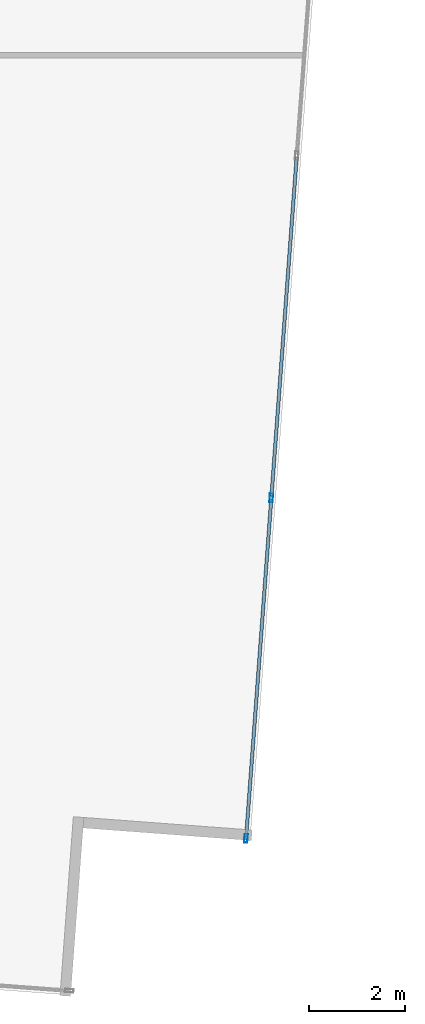
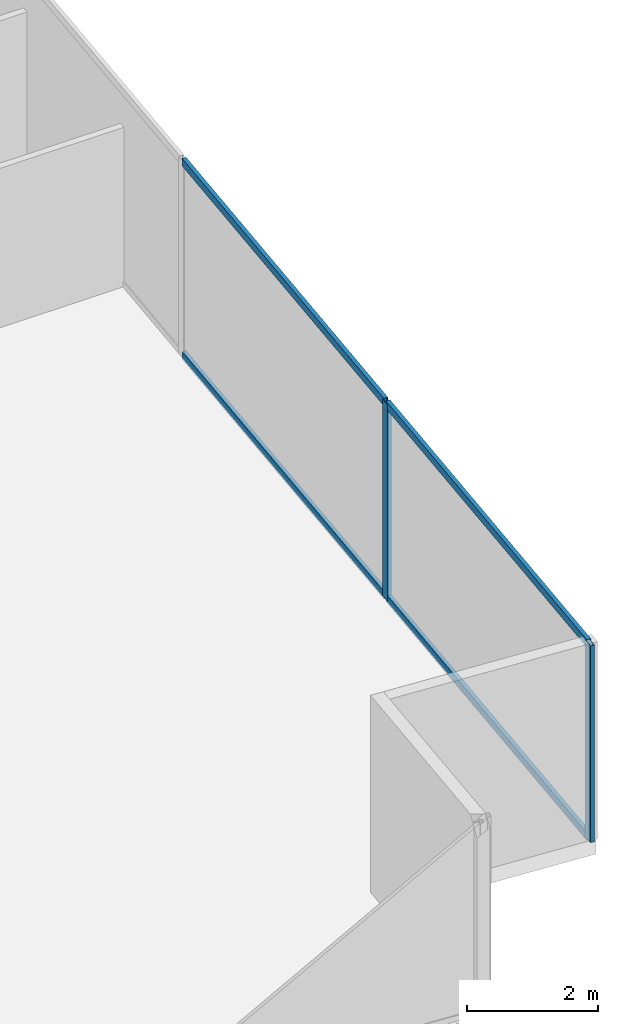
# One storey, part 14 of 30: 6 members, 1 element without a shape of its own.
"""IFC4 building model written with IfcOpenShell, lengths in metres."""

from ifc_helpers import new_model, si_unit, direction, frame, origin, origin_2d, place, context, subcontext, project, spatial, hollow_rectangle, extrude, source, transform, mapped, material, material_profile, profile_set, type_object, type_shapes, element, aggregate, save


model = new_model("IFC4")

# Units and contexts
model_context = context("Model", 3, precision=1e-05, world=origin(), true_north=direction((0.0, 1.0)))
body_context = subcontext(model_context, "Body", "Model", "MODEL_VIEW")
ifc_project = project(units=[si_unit("LENGTHUNIT", "METRE"), si_unit("AREAUNIT", "SQUARE_METRE"), si_unit("VOLUMEUNIT", "CUBIC_METRE"), si_unit("PLANEANGLEUNIT", "RADIAN"), si_unit("MASSUNIT", "GRAM", prefix="KILO")], contexts=[model_context])

# Site, building, storey
site_placement = place(None, origin())
site = spatial("IfcSite", under=ifc_project, at=site_placement, CompositionType="ELEMENT")
building_placement = place(site_placement, origin())
building = spatial("IfcBuilding", under=site, at=building_placement, Name="Krantzveldt Concourse Tower", CompositionType="ELEMENT")
storey_placement = place(building_placement, frame((0.0, 0.0, 48.699951171875)))
storey = spatial("IfcBuildingStorey", under=building, at=storey_placement, Name="L11", CompositionType="ELEMENT", Elevation=48.699951171875)

# Curtain wall, members
ifc_material = material(Name="Anodised aluminium 6063-T6", Category="aluminium")
curtain_wall_type = type_object("IfcCurtainWallType", Name="CW2", PredefinedType="USERDEFINED", material=ifc_material)
curtain_wall_placement = place(storey_placement, origin())
curtain_wall = element("IfcCurtainWall", 1, at=curtain_wall_placement, inside=storey, type_object=curtain_wall_type, Name="CW-L11-F07", ObjectType="UNITISED CURTAIN WALL", PredefinedType="USERDEFINED")
ifc_material_profile_1 = material_profile(ifc_material, hollow_rectangle(XDim=0.070068359375, YDim=0.139892578125, WallThickness=0.0048828125, at=origin_2d()), Name="Anodised aluminium 6063-T6", Category="aluminium")
ifc_profile_set_1 = profile_set([ifc_material_profile_1], Name="Anodised aluminium 6063-T6 - ALU-TRAN 140x70x5")
member_type_1 = type_object("IfcMemberType", Name="CW-TRN-150", PredefinedType="USERDEFINED", material=ifc_profile_set_1)
shared_shape_1 = source(origin(), body_context, "Body", "SweptSolid", [
    extrude(hollow_rectangle(XDim=0.070068359375, YDim=0.139892578125, WallThickness=0.0048828125, at=origin_2d()), origin(), (0.0, 0.0, 1.0), 7.0615234375),
])
member_1_placement = place(storey_placement, frame((59.25341796875, 3.48291015625, 0.03515625), z_axis=(0.074089449766, 0.997251599865, 0.0), x_axis=(-0.997251599865, 0.074089449766, 0.0)))
member_1 = element("IfcMember", 2, at=member_1_placement, type_object=member_type_1, Name="CW-Z12 transom 1.1", ObjectType="TRANSOM", PredefinedType="USERDEFINED", context=body_context, shape_type="MappedRepresentation", body=[
    mapped(shared_shape_1, transform((0.0, 0.0, 0.0), x_axis=(1.0, 0.0, 0.0), y_axis=(0.0, 1.0, 0.0), z_axis=(0.0, 0.0, 1.0), scale=1.0)),
])
member_2_placement = place(storey_placement, frame((59.25341796875, 3.48291015625, 3.635009765625), z_axis=(0.074089449766, 0.997251599865, 0.0), x_axis=(-0.997251599865, 0.074089449766, 0.0)))
member_2 = element("IfcMember", 3, at=member_2_placement, type_object=member_type_1, Name="CW-Z12 transom 1.2", ObjectType="TRANSOM", PredefinedType="USERDEFINED", context=body_context, shape_type="MappedRepresentation", body=[
    mapped(shared_shape_1, transform((0.0, 0.0, 0.0), x_axis=(1.0, 0.0, 0.0), y_axis=(0.0, 1.0, 0.0), z_axis=(0.0, 0.0, 1.0), scale=1.0)),
])
shared_shape_2 = source(origin(), body_context, "Body", "SweptSolid", [
    extrude(hollow_rectangle(XDim=0.070068359375, YDim=0.139892578125, WallThickness=0.0048828125, at=origin_2d()), origin(), (0.0, 0.0, 1.0), 7.0966796875),
])
type_shapes(member_type_1, [shared_shape_1, shared_shape_2])
member_3_placement = place(storey_placement, frame((59.781982421875, 10.594970703125, 0.03515625), z_axis=(0.074102314311, 0.997250644028, 0.0), x_axis=(-0.997250644028, 0.074102314311, 0.0)))
member_3 = element("IfcMember", 4, at=member_3_placement, type_object=member_type_1, Name="CW-Z12 transom 2.1", ObjectType="TRANSOM", PredefinedType="USERDEFINED", context=body_context, shape_type="MappedRepresentation", body=[
    mapped(shared_shape_2, transform((0.0, 0.0, 0.0), x_axis=(1.0, 0.0, 0.0), y_axis=(0.0, 1.0, 0.0), z_axis=(0.0, 0.0, 1.0), scale=1.0)),
])
member_4_placement = place(storey_placement, frame((59.781982421875, 10.594970703125, 3.635009765625), z_axis=(0.074102314311, 0.997250644028, 0.0), x_axis=(-0.997250644028, 0.074102314311, 0.0)))
member_4 = element("IfcMember", 5, at=member_4_placement, type_object=member_type_1, Name="CW-Z12 transom 2.2", ObjectType="TRANSOM", PredefinedType="USERDEFINED", context=body_context, shape_type="MappedRepresentation", body=[
    mapped(shared_shape_2, transform((0.0, 0.0, 0.0), x_axis=(1.0, 0.0, 0.0), y_axis=(0.0, 1.0, 0.0), z_axis=(0.0, 0.0, 1.0), scale=1.0)),
])
ifc_material_profile_2 = material_profile(ifc_material, hollow_rectangle(XDim=0.070068359375, YDim=0.179931640625, WallThickness=0.0048828125, at=origin_2d()), Name="Anodised aluminium 6063-T6", Category="aluminium")
ifc_profile_set_2 = profile_set([ifc_material_profile_2], Name="Anodised aluminium 6063-T6 - ALU-MULL 180x70x5")
member_type_2 = type_object("IfcMemberType", Name="CW-MUL-180", PredefinedType="MULLION", material=ifc_profile_set_2)
shared_shape_3 = source(origin(), body_context, "Body", "SweptSolid", [
    extrude(hollow_rectangle(XDim=0.070068359375, YDim=0.179931640625, WallThickness=0.0048828125, at=origin_2d()), origin(), (0.0, 0.0, 1.0), 3.670166015625),
])
type_shapes(member_type_2, [shared_shape_3])
member_5_placement = place(storey_placement, frame((59.250732421875, 3.447998046875, 0.0), z_axis=(0.0, 0.0, 1.0), x_axis=(-0.997250176902, 0.07410860051, 0.0)))
member_5 = element("IfcMember", 6, at=member_5_placement, type_object=member_type_2, Name="CW-Z12 mullion 1", PredefinedType="MULLION", context=body_context, shape_type="MappedRepresentation", body=[
    mapped(shared_shape_3, transform((0.0, 0.0, 0.0), x_axis=(1.0, 0.0, 0.0), y_axis=(0.0, 1.0, 0.0), z_axis=(0.0, 0.0, 1.0), scale=1.0)),
])
member_6_placement = place(storey_placement, frame((59.779296875, 10.56005859375, 0.0), z_axis=(0.0, 0.0, 1.0), x_axis=(-0.997250176902, 0.07410860051, 0.0)))
member_6 = element("IfcMember", 7, at=member_6_placement, type_object=member_type_2, Name="CW-Z12 mullion 2", PredefinedType="MULLION", context=body_context, shape_type="MappedRepresentation", body=[
    mapped(shared_shape_3, transform((0.0, 0.0, 0.0), x_axis=(1.0, 0.0, 0.0), y_axis=(0.0, 1.0, 0.0), z_axis=(0.0, 0.0, 1.0), scale=1.0)),
])
aggregate(curtain_wall, [member_5, member_6, member_1, member_2, member_3, member_4])

save(model, "model.ifc")
